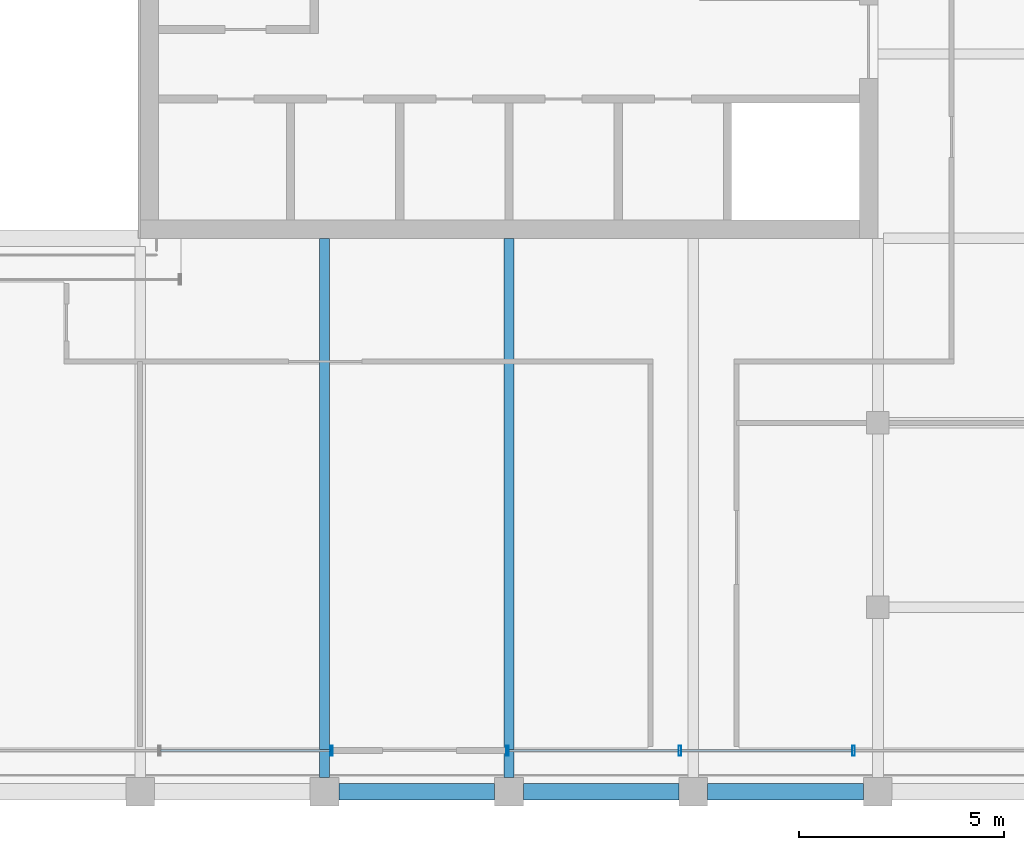
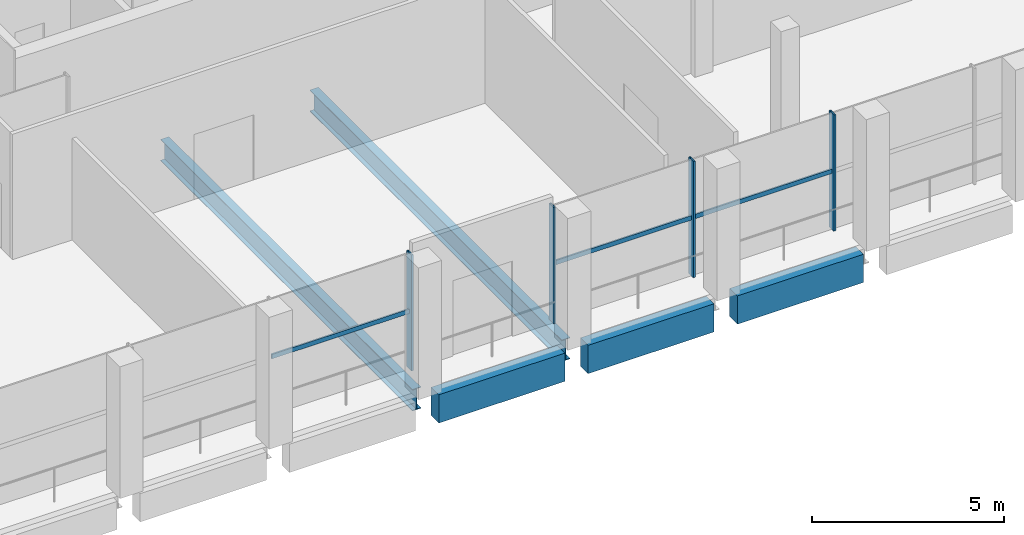
# One storey, part 5 of 17: 7 members, 5 beams, 2 elements without a shape of their own.
"""IFC4 building model written with IfcOpenShell, lengths in metres."""

from ifc_helpers import new_model, si_unit, direction, frame, origin, origin_2d, place, context, subcontext, project, spatial, rectangle, hollow_rectangle, i_section, extrude, material, material_profile, profile_set, type_object, element, aggregate, save


model = new_model("IFC4")

# Units and contexts
model_context = context("Model", 3, precision=1e-05, world=origin(), true_north=direction((0.0, 1.0)))
body_context = subcontext(model_context, "Body", "Model", "MODEL_VIEW")
ifc_project = project(units=[si_unit("LENGTHUNIT", "METRE"), si_unit("AREAUNIT", "SQUARE_METRE"), si_unit("VOLUMEUNIT", "CUBIC_METRE"), si_unit("PLANEANGLEUNIT", "RADIAN"), si_unit("MASSUNIT", "GRAM", prefix="KILO")], contexts=[model_context])

# Site, building, storey
site_placement = place(None, origin())
site = spatial("IfcSite", under=ifc_project, at=site_placement, CompositionType="ELEMENT")
building_placement = place(site_placement, origin())
building = spatial("IfcBuilding", under=site, at=building_placement, Name="Altepetl Exchange Towers", CompositionType="ELEMENT")
storey_placement = place(building_placement, frame((0.0, 0.0, 259.39990234375)))
storey = spatial("IfcBuildingStorey", under=building, at=storey_placement, Name="L66", CompositionType="ELEMENT", Elevation=259.39990234375)

# Beams
ifc_material_1 = material(Name="Steel S355", Category="steel")
ifc_material_profile_1 = material_profile(ifc_material_1, i_section(OverallWidth=0.25390625, OverallDepth=0.68408203125, WebThickness=0.012451171875, FlangeThickness=0.018798828125, at=origin_2d()), Name="W27X94")
ifc_profile_set_1 = profile_set([ifc_material_profile_1], Name="Steel S355")
beam_type_1 = type_object("IfcBeamType", Name="Floor beam W27X94", PredefinedType="BEAM", material=ifc_profile_set_1)
for number, where, z_axis, x_axis, name in (
    (1, (45.0, 27.35009765625, -0.516845703125), (0.0, 1.0, 0.0), (-1.0, 0.0, 0.0), "bm:A:L66:015"),
    (2, (49.5, 27.35009765625, -0.516845703125), (0.0, 1.0, 0.0), (-1.0, 0.0, 0.0), "bm:A:L66:016"),
):
    element("IfcBeam", number, at=place(storey_placement, frame(where, z_axis=z_axis, x_axis=x_axis)), inside=storey, type_object=beam_type_1, Name=name, PredefinedType="BEAM", context=body_context, shape_type="SweptSolid", body=[
        extrude(i_section(OverallWidth=0.25390625, OverallDepth=0.68408203125, WebThickness=0.012451171875, FlangeThickness=0.018798828125, at=origin_2d()), origin(), (0.0, 0.0, 1.0), 13.14990234375),
    ])

# Curtain wall, member
ifc_material_2 = material(Name="Aluminium 6063-T6 glazing", Category="aluminium")
curtain_wall_type = type_object("IfcCurtainWallType", Name="Executive flush glazing system", PredefinedType="NOTDEFINED", material=ifc_material_2)
curtain_wall_1_placement = place(storey_placement, origin())
curtain_wall_1 = element("IfcCurtainWall", 3, at=curtain_wall_1_placement, inside=storey, type_object=curtain_wall_type, Name="CW4 run", PredefinedType="NOTDEFINED")
ifc_material_3 = material(Name="Aluminium 6063-T6", Category="aluminium")
ifc_material_profile_2 = material_profile(ifc_material_3, hollow_rectangle(XDim=0.06005859375, YDim=0.25, WallThickness=0.0029296875, at=origin_2d()), Name="Mullion 60x250 hollow aluminium")
ifc_profile_set_2 = profile_set([ifc_material_profile_2], Name="Aluminium 6063-T6")
member_type_1 = type_object("IfcMemberType", Name="Mullion 60x250 hollow aluminium", PredefinedType="MULLION", material=ifc_profile_set_2)
member_1_placement = place(storey_placement, frame((45.173095703125, 28.0, 0.0)))
member_1 = element("IfcMember", 4, at=member_1_placement, type_object=member_type_1, Name="MU3 mullion", PredefinedType="MULLION", context=body_context, shape_type="SweptSolid", body=[
    extrude(hollow_rectangle(XDim=0.06005859375, YDim=0.25, WallThickness=0.0029296875, at=origin_2d()), origin(), (0.0, 0.0, 1.0), 3.7001953125),
])

# Curtain wall, members
curtain_wall_2_placement = place(storey_placement, origin())
curtain_wall_2 = element("IfcCurtainWall", 5, at=curtain_wall_2_placement, inside=storey, type_object=curtain_wall_type, Name="CW4 run", PredefinedType="NOTDEFINED")
member_2_placement = place(storey_placement, frame((49.467529296875, 28.0, 0.0)))
member_2 = element("IfcMember", 6, at=member_2_placement, type_object=member_type_1, Name="MU3 mullion", PredefinedType="MULLION", context=body_context, shape_type="SweptSolid", body=[
    extrude(hollow_rectangle(XDim=0.06005859375, YDim=0.25, WallThickness=0.0029296875, at=origin_2d()), origin(), (0.0, 0.0, 1.0), 3.7001953125),
])
member_3_placement = place(storey_placement, frame((53.671875, 28.0, 0.0)))
member_3 = element("IfcMember", 7, at=member_3_placement, type_object=member_type_1, Name="MU3 mullion", PredefinedType="MULLION", context=body_context, shape_type="SweptSolid", body=[
    extrude(hollow_rectangle(XDim=0.06005859375, YDim=0.25, WallThickness=0.0029296875, at=origin_2d()), origin(), (0.0, 0.0, 1.0), 3.7001953125),
])
member_4_placement = place(storey_placement, frame((57.90625, 28.0, 0.0)))
member_4 = element("IfcMember", 8, at=member_4_placement, type_object=member_type_1, Name="MU3 mullion", PredefinedType="MULLION", context=body_context, shape_type="SweptSolid", body=[
    extrude(hollow_rectangle(XDim=0.06005859375, YDim=0.25, WallThickness=0.0029296875, at=origin_2d()), origin(), (0.0, 0.0, 1.0), 3.7001953125),
])

# Beams
ifc_material_4 = material(Name="Concrete C50/60 precast with cantera blanca facing", Category="concrete")
ifc_material_profile_3 = material_profile(ifc_material_4, rectangle(XDim=0.39990234375, YDim=0.89990234375, at=origin_2d()), Name="400 x 900")
ifc_profile_set_3 = profile_set([ifc_material_profile_3], Name="Concrete C50/60 precast with cantera blanca facing")
beam_type_2 = type_object("IfcBeamType", Name="Spandrel beam 400x900 cantera blanca", PredefinedType="SPANDREL", material=ifc_profile_set_3)
for number, where, z_axis, x_axis, name in (
    (9, (45.35009765625, 27.0, -0.625), (1.0, 0.0, 0.0), (0.0, 1.0, 0.0), "sp:A:L66:003"),
    (10, (49.85009765625, 27.0, -0.625), (1.0, 0.0, 0.0), (0.0, 1.0, 0.0), "sp:A:L66:004"),
    (11, (54.35009765625, 27.0, -0.625), (1.0, 0.0, 0.0), (0.0, 1.0, 0.0), "sp:A:L66:005"),
):
    element("IfcBeam", number, at=place(storey_placement, frame(where, z_axis=z_axis, x_axis=x_axis)), inside=storey, type_object=beam_type_2, Name=name, PredefinedType="SPANDREL", context=body_context, shape_type="SweptSolid", body=[
        extrude(rectangle(XDim=0.39990234375, YDim=0.89990234375, at=origin_2d()), origin(), (0.0, 0.0, 1.0), 3.7998046875),
    ])

# Member
ifc_material_profile_4 = material_profile(ifc_material_3, hollow_rectangle(XDim=0.050048828125, YDim=0.139892578125, WallThickness=0.0029296875, at=origin_2d()), Name="Transom 50x140 hollow aluminium")
ifc_profile_set_4 = profile_set([ifc_material_profile_4], Name="Aluminium 6063-T6")
member_type_2 = type_object("IfcMemberType", Name="Transom 50x140 hollow aluminium", PredefinedType="USERDEFINED", material=ifc_profile_set_4)
member_5_placement = place(storey_placement, frame((40.998779296875, 28.0, 1.85009765625), z_axis=(1.0, 0.0, 0.0), x_axis=(0.0, 1.0, 0.0)))
member_5 = element("IfcMember", 12, at=member_5_placement, type_object=member_type_2, Name="TR2 transom", ObjectType="TRANSOM", PredefinedType="USERDEFINED", context=body_context, shape_type="SweptSolid", body=[
    extrude(hollow_rectangle(XDim=0.050048828125, YDim=0.139892578125, WallThickness=0.0029296875, at=origin_2d()), origin(), (0.0, 0.0, 1.0), 4.144287109375),
])

aggregate(curtain_wall_1, [member_1, member_5])

member_6_placement = place(storey_placement, frame((49.49755859375, 28.0, 1.85009765625), z_axis=(1.0, 0.0, 0.0), x_axis=(0.0, 1.0, 0.0)))
member_6 = element("IfcMember", 13, at=member_6_placement, type_object=member_type_2, Name="TR2 transom", ObjectType="TRANSOM", PredefinedType="USERDEFINED", context=body_context, shape_type="SweptSolid", body=[
    extrude(hollow_rectangle(XDim=0.050048828125, YDim=0.139892578125, WallThickness=0.0029296875, at=origin_2d()), origin(), (0.0, 0.0, 1.0), 4.144287109375),
])

member_7_placement = place(storey_placement, frame((53.701904296875, 28.0, 1.85009765625), z_axis=(1.0, 0.0, 0.0), x_axis=(0.0, 1.0, 0.0)))
member_7 = element("IfcMember", 14, at=member_7_placement, type_object=member_type_2, Name="TR2 transom", ObjectType="TRANSOM", PredefinedType="USERDEFINED", context=body_context, shape_type="SweptSolid", body=[
    extrude(hollow_rectangle(XDim=0.050048828125, YDim=0.139892578125, WallThickness=0.0029296875, at=origin_2d()), origin(), (0.0, 0.0, 1.0), 4.17431640625),
])

aggregate(curtain_wall_2, [member_2, member_3, member_4, member_6, member_7])

save(model, "model.ifc")
